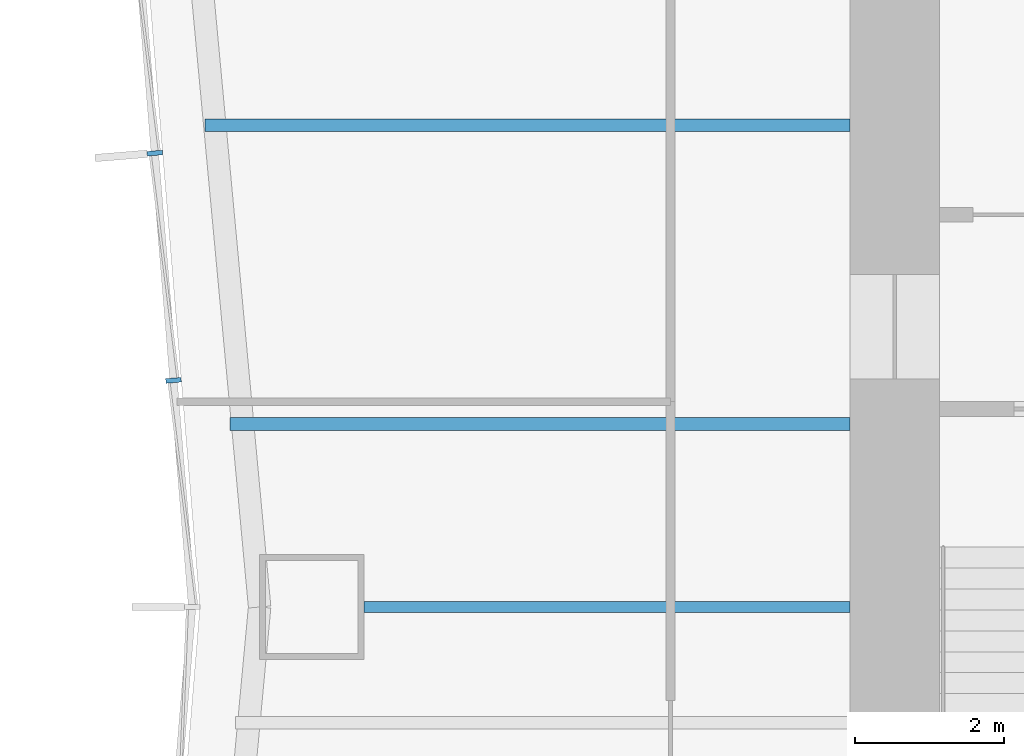
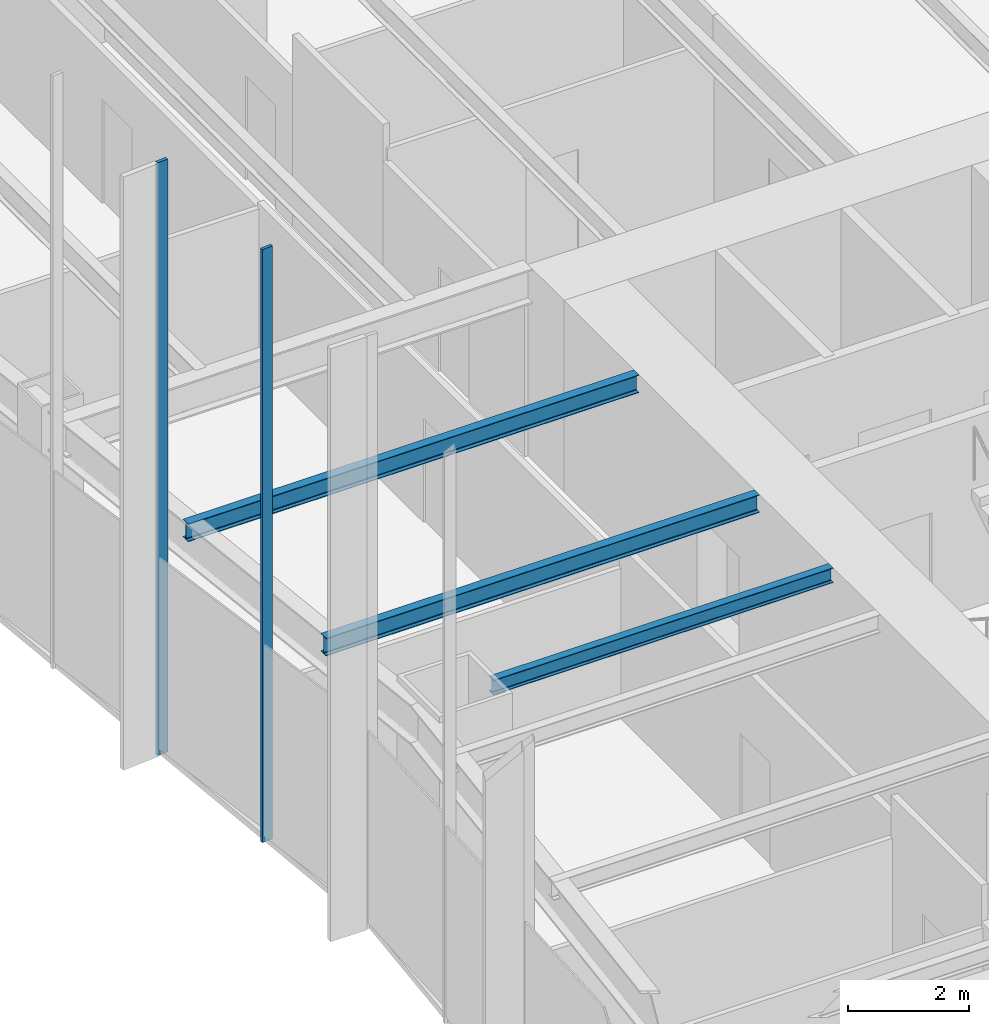
# One storey, part 3 of 13: 3 beams, 2 members, 1 element without a shape of its own.
"""IFC4 building model written with IfcOpenShell, lengths in metres."""

import ifcopenshell
import ifcopenshell.guid

model = None  # the IFC model being written
_history = None  # IfcOwnerHistory: only IFC2X3 demands one
_inside = {}  # id of a spatial element -> (the spatial element, [elements in it])
_under = {}  # id of a project, library or spatial element -> (it, [spatial elements below it])
_declared = {}  # id of a project -> (the project, [libraries it declares])
_typed = {}  # id of a type object -> (the type object, [elements of that type])
_made_of = {}  # id of a material, layer set ... -> (it, [elements and type objects made of it])


def new_model(schema):
    """Start an empty IFC model of exactly this schema.

    Asked for "IFC4X3", IfcOpenShell would pick the latest addendum, in which some entities
    have other attributes; the version numbers below select the first issue.
    IFC2X3 requires an IfcOwnerHistory on every rooted entity: one is made here for all.
    """
    global model, _history
    if schema == "IFC4X3":
        model = ifcopenshell.file(schema_version=(4, 3, 0, 0))
    else:
        model = ifcopenshell.file(schema=schema)
    _inside.clear()
    _under.clear()
    _declared.clear()
    _typed.clear()
    _made_of.clear()
    _history = None
    if model.schema == "IFC2X3":
        org = make("IfcOrganization", Name="unknown")
        user = make(
            "IfcPersonAndOrganization",
            ThePerson=make("IfcPerson", FamilyName="unknown"),
            TheOrganization=org,
        )
        app = make(
            "IfcApplication",
            ApplicationDeveloper=org,
            Version="unknown",
            ApplicationFullName="unknown",
            ApplicationIdentifier="unknown",
        )
        _history = make(
            "IfcOwnerHistory",
            OwningUser=user,
            OwningApplication=app,
            ChangeAction="ADDED",
            CreationDate=0,
        )
    return model


def make(cls, **values):
    """One entity of the class cls with the attributes given. An attribute that is None is left unset."""
    return model.create_entity(
        cls, **{name: value for name, value in values.items() if value is not None}
    )


def rooted(cls, **values):
    """An entity with a GlobalId (a new one), such as an element, a storey or a relation."""
    return make(cls, GlobalId=ifcopenshell.guid.new(), OwnerHistory=_history, **values)


def si_unit(unit_type, name, prefix=None):
    """IfcSIUnit, for example si_unit("LENGTHUNIT", "METRE", prefix="MILLI")."""
    return make("IfcSIUnit", UnitType=unit_type, Prefix=prefix, Name=name)


def assignment(units):
    """IfcUnitAssignment: the units of a project."""
    return None if units is None else make("IfcUnitAssignment", Units=units)


def point(xyz):
    """IfcCartesianPoint."""
    return None if xyz is None else make("IfcCartesianPoint", Coordinates=xyz)


def direction(xyz):
    """IfcDirection."""
    return None if xyz is None else make("IfcDirection", DirectionRatios=xyz)


def frame(location, z_axis=None, x_axis=None):
    """IfcAxis2Placement3D, a coordinate frame: its origin and axes. An axis left out is left unset."""
    return make(
        "IfcAxis2Placement3D",
        Location=point(location),
        Axis=direction(z_axis),
        RefDirection=direction(x_axis),
    )


def frame_2d(location, x_axis=None):
    """IfcAxis2Placement2D, a coordinate frame in the plane: its origin and x axis."""
    return make(
        "IfcAxis2Placement2D", Location=point(location), RefDirection=direction(x_axis)
    )


def origin():
    """The frame at (0, 0, 0) with its axes left unset."""
    return frame((0.0, 0.0, 0.0))


def origin_2d():
    """The frame at (0, 0) in the plane with its x axis left unset."""
    return frame_2d((0.0, 0.0))


def place(relative_to, where):
    """IfcLocalPlacement: puts the frame where relative to a parent placement (None: the world)."""
    return make(
        "IfcLocalPlacement", PlacementRelTo=relative_to, RelativePlacement=where
    )


def context(
    kind, dimensions, precision=None, world=None, true_north=None, identifier=None
):
    """IfcGeometricRepresentationContext, for example the 3D "Model" context."""
    return make(
        "IfcGeometricRepresentationContext",
        ContextIdentifier=identifier,
        ContextType=kind,
        CoordinateSpaceDimension=dimensions,
        Precision=precision,
        WorldCoordinateSystem=world,
        TrueNorth=true_north,
    )


def subcontext(parent, identifier, kind, view, scale=None):
    """IfcGeometricRepresentationSubContext, for example "Body" below "Model"."""
    return make(
        "IfcGeometricRepresentationSubContext",
        ContextIdentifier=identifier,
        ContextType=kind,
        ParentContext=parent,
        TargetScale=scale,
        TargetView=view,
    )


def project(units=None, contexts=None):
    """IfcProject with its units and contexts."""
    return rooted(
        "IfcProject",
        Name="project",
        RepresentationContexts=contexts,
        UnitsInContext=assignment(units),
    )


def spatial(cls, under=None, at=None, **own):
    """A site, building, storey or space (cls), placed at a placement, below another one or the project."""
    s = rooted(cls, ObjectPlacement=at, **own)
    if under is not None:
        _under.setdefault(under.id(), (under, []))[1].append(s)
    return s


def profile(cls, at=None, kind="AREA", **sizes):
    """A parametric profile (cls). Its sizes go by their IFC names, for example OverallWidth=200.0."""
    return make(cls, ProfileType=kind, Position=at, **sizes)


def rectangle(**sizes):
    """IfcRectangleProfileDef."""
    return profile("IfcRectangleProfileDef", **sizes)


def i_section(**sizes):
    """IfcIShapeProfileDef."""
    return profile("IfcIShapeProfileDef", **sizes)


def extrude(swept, where, along, depth):
    """IfcExtrudedAreaSolid: the profile swept, set in the frame where, extruded along a direction by depth."""
    return make(
        "IfcExtrudedAreaSolid",
        SweptArea=swept,
        Position=where,
        ExtrudedDirection=direction(along),
        Depth=depth,
    )


def shape(context_of_items, identifier, shape_type, items):
    """IfcShapeRepresentation: the items that make up one representation, for example the "Body"."""
    return make(
        "IfcShapeRepresentation",
        ContextOfItems=context_of_items,
        RepresentationIdentifier=identifier,
        RepresentationType=shape_type,
        Items=items,
    )


def material(Name=None, Category=None):
    """IfcMaterial."""
    return make("IfcMaterial", Name=Name, Category=Category)


def material_profile(
    of_material, cross_section, Name=None, Category=None, Priority=None
):
    """IfcMaterialProfile: a cross section and its material."""
    return make(
        "IfcMaterialProfile",
        Name=Name,
        Material=of_material,
        Profile=cross_section,
        Priority=Priority,
        Category=Category,
    )


def profile_set(profiles, Name=None, composite=None):
    """IfcMaterialProfileSet."""
    return make(
        "IfcMaterialProfileSet",
        Name=Name,
        MaterialProfiles=profiles,
        CompositeProfile=composite,
    )


def made_of(thing, what):
    """Note that an element or type object is made of a material, layer set ...; save() writes the relation."""
    if what is not None:
        _made_of.setdefault(what.id(), (what, []))[1].append(thing)
    return thing


def type_object(cls, material=None, **own):
    """A type object (cls), such as IfcWallType, which elements share."""
    return made_of(rooted(cls, **own), material)


def element(
    cls,
    number,
    at=None,
    inside=None,
    cuts=None,
    type_object=None,
    material=None,
    context=None,
    identifier="Body",
    shape_type=None,
    held_by="IfcProductDefinitionShape",
    body=None,
    shapes=None,
    **own,
):
    """One element of the class cls, such as IfcWall. Its Tag is "e" and its number.

    at: its placement. inside: the storey or other place that contains it. cuts: it is an
    opening in that element (IfcRelVoidsElement). A single representation is given by context,
    identifier, shape_type and body (its items); several are given by shapes. held_by: the class
    of the entity that holds the representations. save() writes the other relations.
    """
    e = rooted(cls, Tag="e%d" % number, ObjectPlacement=at, **own)
    if body is not None:
        shapes = [shape(context, identifier, shape_type, body)]
    if shapes is not None:
        e.Representation = make(held_by, Representations=shapes)
    if inside is not None:
        _inside.setdefault(inside.id(), (inside, []))[1].append(e)
    if cuts is not None:
        rooted(
            "IfcRelVoidsElement", RelatingBuildingElement=cuts, RelatedOpeningElement=e
        )
    if type_object is not None:
        _typed.setdefault(type_object.id(), (type_object, []))[1].append(e)
    return made_of(e, material)


def aggregate(whole, parts):
    """IfcRelAggregates: a whole, such as a stair, and the parts it consists of."""
    return rooted("IfcRelAggregates", RelatingObject=whole, RelatedObjects=parts)


def save(model, path):
    """Write the relations noted so far, then the file.

    IfcRelAggregates (storeys below a building ...), IfcRelContainedInSpatialStructure (elements
    in a storey), IfcRelDefinesByType, IfcRelAssociatesMaterial and IfcRelDeclares: one each for
    every whole, place, type object, material and project.
    """
    for whole, parts in _under.values():
        aggregate(whole, parts)
    for where, things in _inside.values():
        rooted(
            "IfcRelContainedInSpatialStructure",
            RelatedElements=things,
            RelatingStructure=where,
        )
    for kind, things in _typed.values():
        rooted("IfcRelDefinesByType", RelatedObjects=things, RelatingType=kind)
    for what, things in _made_of.values():
        rooted("IfcRelAssociatesMaterial", RelatedObjects=things, RelatingMaterial=what)
    for by, libraries in _declared.values():
        rooted("IfcRelDeclares", RelatingContext=by, RelatedDefinitions=libraries)
    model.write(path)


model = new_model("IFC4")

# Units and contexts
model_context = context("Model", 3, precision=1e-05, world=origin(), true_north=direction((0.0, 1.0)))
body_context = subcontext(model_context, "Body", "Model", "MODEL_VIEW")
ifc_project = project(units=[si_unit("LENGTHUNIT", "METRE"), si_unit("AREAUNIT", "SQUARE_METRE"), si_unit("VOLUMEUNIT", "CUBIC_METRE"), si_unit("PLANEANGLEUNIT", "RADIAN"), si_unit("MASSUNIT", "GRAM", prefix="KILO")], contexts=[model_context])

# Site, building, storey
site_placement = place(None, origin())
site = spatial("IfcSite", under=ifc_project, at=site_placement, CompositionType="ELEMENT")
building_placement = place(site_placement, origin())
building = spatial("IfcBuilding", under=site, at=building_placement, Name="Verdant Reach Tower", CompositionType="ELEMENT")
storey_placement = place(building_placement, frame((0.0, 0.0, 94.0)))
storey = spatial("IfcBuildingStorey", under=building, at=storey_placement, Name="L21", CompositionType="ELEMENT", Elevation=94.0)

# Curtain wall, members
ifc_material_1 = material(Name="Anodised aluminium", Category="aluminium")
curtain_wall_type = type_object("IfcCurtainWallType", Name="EN-CW SYSTEM Z1", PredefinedType="NOTDEFINED", material=ifc_material_1)
curtain_wall_placement = place(storey_placement, origin())
curtain_wall = element("IfcCurtainWall", 1, at=curtain_wall_placement, inside=storey, type_object=curtain_wall_type, Name="Curtain wall west, L21", PredefinedType="NOTDEFINED")
ifc_material_profile_1 = material_profile(ifc_material_1, rectangle(XDim=0.2060546875, YDim=0.06201171875, at=origin_2d()), Name="Mullion 62x206")
ifc_profile_set_1 = profile_set([ifc_material_profile_1], Name="Anodised aluminium")
member_type = type_object("IfcMemberType", Name="EN-MULLION Z1", PredefinedType="MULLION", material=ifc_profile_set_1)
member_1_placement = place(storey_placement, frame((-23.1025390625, 34.824951171875, -0.35009765625), z_axis=(0.0, 0.0, 1.0), x_axis=(-0.996639273542, -0.081915556724, 0.0)))
member_1 = element("IfcMember", 2, at=member_1_placement, type_object=member_type, Name="Mullion west face part 1 5, L21", PredefinedType="MULLION", context=body_context, shape_type="SweptSolid", body=[
    extrude(rectangle(XDim=0.2060546875, YDim=0.06201171875, at=origin_2d()), origin(), (0.0, 0.0, 1.0), 12.0),
])
member_2_placement = place(storey_placement, frame((-22.8525390625, 31.783203125, -0.35009765625), z_axis=(0.0, 0.0, 1.0), x_axis=(-0.996639273542, -0.081915556724, 0.0)))
member_2 = element("IfcMember", 3, at=member_2_placement, type_object=member_type, Name="Mullion west face part 1 6, L21", PredefinedType="MULLION", context=body_context, shape_type="SweptSolid", body=[
    extrude(rectangle(XDim=0.2060546875, YDim=0.06201171875, at=origin_2d()), origin(), (0.0, 0.0, 1.0), 12.0),
])
aggregate(curtain_wall, [member_1, member_2])

# Beams
ifc_material_2 = material(Name="Steel S355", Category="steel")
ifc_material_profile_2 = material_profile(ifc_material_2, i_section(OverallWidth=0.14990234375, OverallDepth=0.300048828125, WebThickness=0.007080078125, FlangeThickness=0.0107421875, FilletRadius=0.014892578125, at=origin_2d()), Name="IPE 300")
ifc_profile_set_2 = profile_set([ifc_material_profile_2], Name="Steel S355")
beam_type_1 = type_object("IfcBeamType", Name="ST-JOIST-IPE300", PredefinedType="JOIST", material=ifc_profile_set_2)
beam_1_placement = place(storey_placement, frame((-13.800048828125, 28.75, 3.719970703125), z_axis=(-1.0, 0.0, 0.0), x_axis=(0.0, -1.0, 0.0)))
element("IfcBeam", 4, at=beam_1_placement, inside=storey, type_object=beam_type_1, Name="Floor joist, L21", PredefinedType="JOIST", context=body_context, shape_type="SweptSolid", body=[
    extrude(i_section(OverallWidth=0.14990234375, OverallDepth=0.300048828125, WebThickness=0.007080078125, FlangeThickness=0.0107421875, FilletRadius=0.014892578125, at=origin_2d()), origin(), (0.0, 0.0, 1.0), 6.5),
])
ifc_material_profile_3 = material_profile(ifc_material_2, i_section(OverallWidth=0.169921875, OverallDepth=0.360107421875, WebThickness=0.008056640625, FlangeThickness=0.0126953125, FilletRadius=0.01806640625, at=origin_2d()), Name="IPE 360")
ifc_profile_set_3 = profile_set([ifc_material_profile_3], Name="Steel S355")
beam_type_2 = type_object("IfcBeamType", Name="ST-JOIST-IPE360", PredefinedType="JOIST", material=ifc_profile_set_3)
beam_2_placement = place(storey_placement, frame((-13.800048828125, 31.199951171875, 3.68994140625), z_axis=(-1.0, 0.0, 0.0), x_axis=(0.0, -1.0, 0.0)))
element("IfcBeam", 5, at=beam_2_placement, inside=storey, type_object=beam_type_2, Name="Floor joist, L21", PredefinedType="JOIST", context=body_context, shape_type="SweptSolid", body=[
    extrude(i_section(OverallWidth=0.169921875, OverallDepth=0.360107421875, WebThickness=0.008056640625, FlangeThickness=0.0126953125, FilletRadius=0.01806640625, at=origin_2d()), origin(), (0.0, 0.0, 1.0), 8.29931640625),
])
beam_3_placement = place(storey_placement, frame((-13.800048828125, 35.199951171875, 3.68994140625), z_axis=(-1.0, 0.0, 0.0), x_axis=(0.0, -1.0, 0.0)))
element("IfcBeam", 6, at=beam_3_placement, inside=storey, type_object=beam_type_2, Name="Floor joist, L21", PredefinedType="JOIST", context=body_context, shape_type="SweptSolid", body=[
    extrude(i_section(OverallWidth=0.169921875, OverallDepth=0.360107421875, WebThickness=0.008056640625, FlangeThickness=0.0126953125, FilletRadius=0.01806640625, at=origin_2d()), origin(), (0.0, 0.0, 1.0), 8.6279296875),
])

save(model, "model.ifc")
